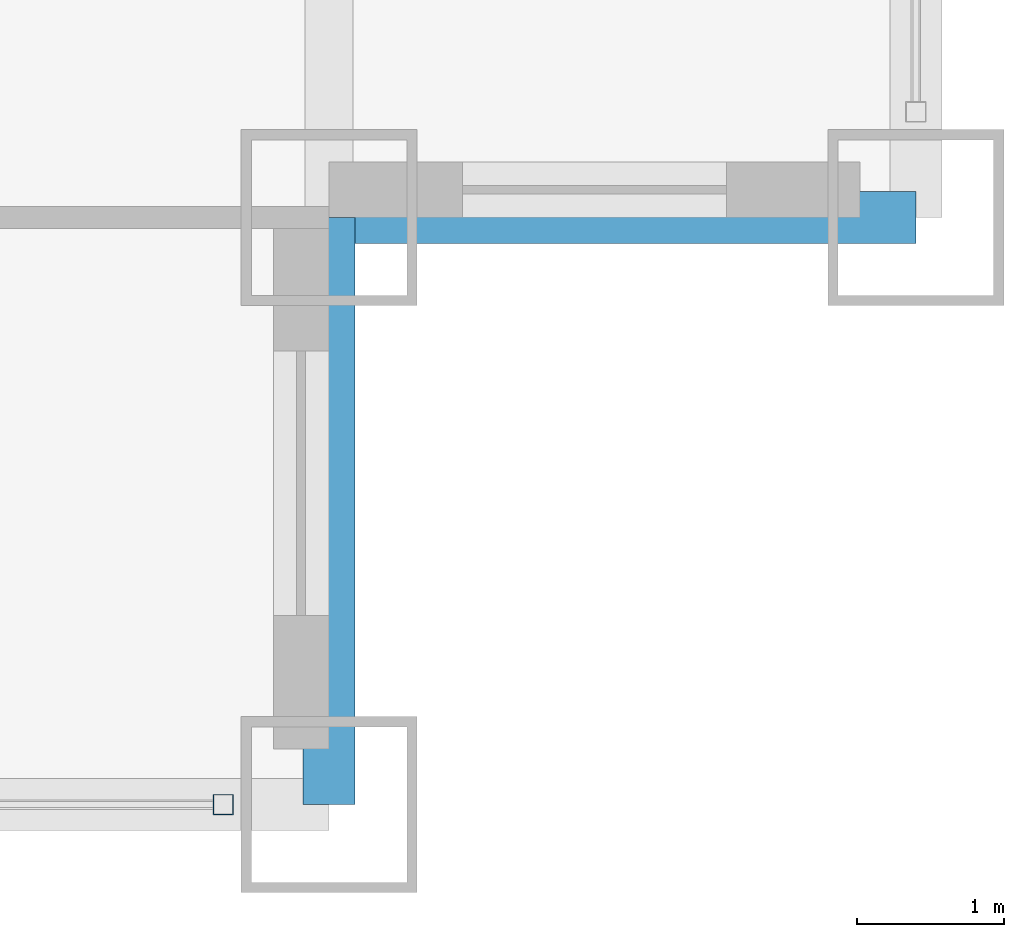
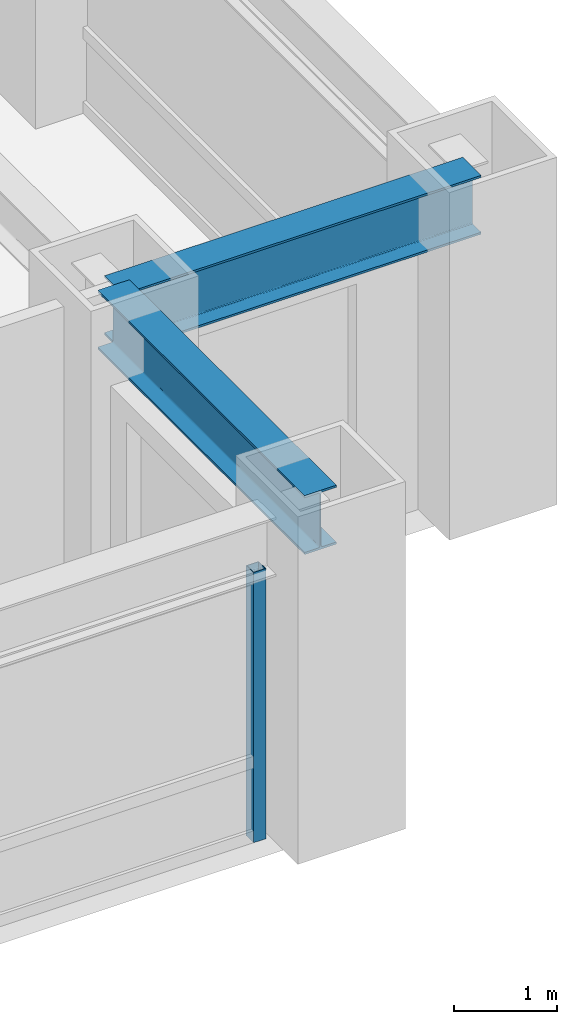
# One storey, part 6 of 27: 2 beams, 1 member, 1 element without a shape of its own.
"""IFC4 building model written with IfcOpenShell, lengths in metres."""

from ifc_helpers import new_model, si_unit, direction, frame, origin, origin_2d, place, context, subcontext, project, spatial, hollow_rectangle, i_section, extrude, source, transform, mapped, material, material_profile, profile_set, type_object, element, aggregate, save


model = new_model("IFC4")

# Units and contexts
model_context = context("Model", 3, precision=1e-05, world=origin(), true_north=direction((0.0, 1.0)))
body_context = subcontext(model_context, "Body", "Model", "MODEL_VIEW")
ifc_project = project(units=[si_unit("LENGTHUNIT", "METRE"), si_unit("AREAUNIT", "SQUARE_METRE"), si_unit("VOLUMEUNIT", "CUBIC_METRE"), si_unit("PLANEANGLEUNIT", "RADIAN"), si_unit("MASSUNIT", "GRAM", prefix="KILO")], contexts=[model_context])

# Site, building, storey
site_placement = place(None, origin())
site = spatial("IfcSite", under=ifc_project, at=site_placement, CompositionType="ELEMENT")
building_placement = place(site_placement, origin())
building = spatial("IfcBuilding", under=site, at=building_placement, Name="Khorayat Bourse Tower", CompositionType="ELEMENT")
storey_placement = place(building_placement, frame((0.0, 0.0, 103.699951171875)))
storey = spatial("IfcBuildingStorey", under=building, at=storey_placement, Name="L23", CompositionType="ELEMENT", Elevation=103.699951171875)

# Beams
ifc_material_1 = material(Name="Steel ASTM A992 Grade 50", Category="steel")
ifc_material_profile_1 = material_profile(ifc_material_1, i_section(OverallWidth=0.35498046875, OverallDepth=0.695068359375, WebThickness=0.015380859375, FlangeThickness=0.02490234375, FilletRadius=0.01806640625, at=origin_2d()), Name="W690X217")
ifc_profile_set_1 = profile_set([ifc_material_profile_1], Name="Steel ASTM A992 Grade 50")
beam_type = type_object("IfcBeamType", Name="BM-SPAN-690", PredefinedType="SPANDREL", material=ifc_profile_set_1)
shared_shape_1 = source(origin(), body_context, "Body", "SweptSolid", [
    extrude(i_section(OverallWidth=0.35498046875, OverallDepth=0.695068359375, WebThickness=0.015380859375, FlangeThickness=0.02490234375, FilletRadius=0.01806640625, at=origin_2d()), origin(), (0.0, 0.0, 1.0), 4.0),
])
for number, where, z_axis, x_axis, name in (
    (1, (28.0, -32.0, 3.492431640625), (0.0, 1.0, 0.0), (-1.0, 0.0, 0.0), "L23 BM-SPAN-690 BM-L23-SPN-032"),
    (2, (28.0, -28.0, 3.492431640625), (1.0, 0.0, 0.0), (0.0, 1.0, 0.0), "L23 BM-SPAN-690 BM-L23-SPN-033"),
):
    element("IfcBeam", number, at=place(storey_placement, frame(where, z_axis=z_axis, x_axis=x_axis)), inside=storey, type_object=beam_type, Name=name, PredefinedType="SPANDREL", context=body_context, shape_type="MappedRepresentation", body=[
        mapped(shared_shape_1, transform((0.0, 0.0, 0.0), scale=1.0)),
    ])

# Curtain wall, member
ifc_material_2 = material(Name="Aluminium EN AW-6063 T6", Category="aluminium")
curtain_wall_type = type_object("IfcCurtainWallType", Name="CW-SYS-02", PredefinedType="NOTDEFINED", material=ifc_material_2)
curtain_wall_placement = place(storey_placement, origin())
curtain_wall = element("IfcCurtainWall", 3, at=curtain_wall_placement, inside=storey, type_object=curtain_wall_type, Name="L23 Curtain Wall CW-L23-S1", PredefinedType="NOTDEFINED")
ifc_material_profile_2 = material_profile(ifc_material_2, hollow_rectangle(XDim=0.139892578125, YDim=0.139892578125, WallThickness=0.006103515625, at=origin_2d()), Name="ALU 140x140x6")
ifc_profile_set_2 = profile_set([ifc_material_profile_2], Name="Aluminium EN AW-6063 T6")
member_type = type_object("IfcMemberType", Name="CWM-VERT-140", PredefinedType="MULLION", material=ifc_profile_set_2)
shared_shape_2 = source(origin(), body_context, "Body", "SweptSolid", [
    extrude(hollow_rectangle(XDim=0.139892578125, YDim=0.139892578125, WallThickness=0.006103515625, at=origin_2d()), origin(), (0.0, 0.0, 1.0), 3.18994140625),
])
member_placement = place(storey_placement, frame((27.280029296875, -32.0, 0.0), z_axis=(0.0, 0.0, 1.0), x_axis=(0.0, 1.0, 0.0)))
member = element("IfcMember", 4, at=member_placement, type_object=member_type, Name="CW-L23-S1 Vertical Mullion 3", PredefinedType="MULLION", context=body_context, shape_type="MappedRepresentation", body=[
    mapped(shared_shape_2, transform((0.0, 0.0, 0.0), scale=1.0)),
])
aggregate(curtain_wall, [member])

save(model, "model.ifc")
